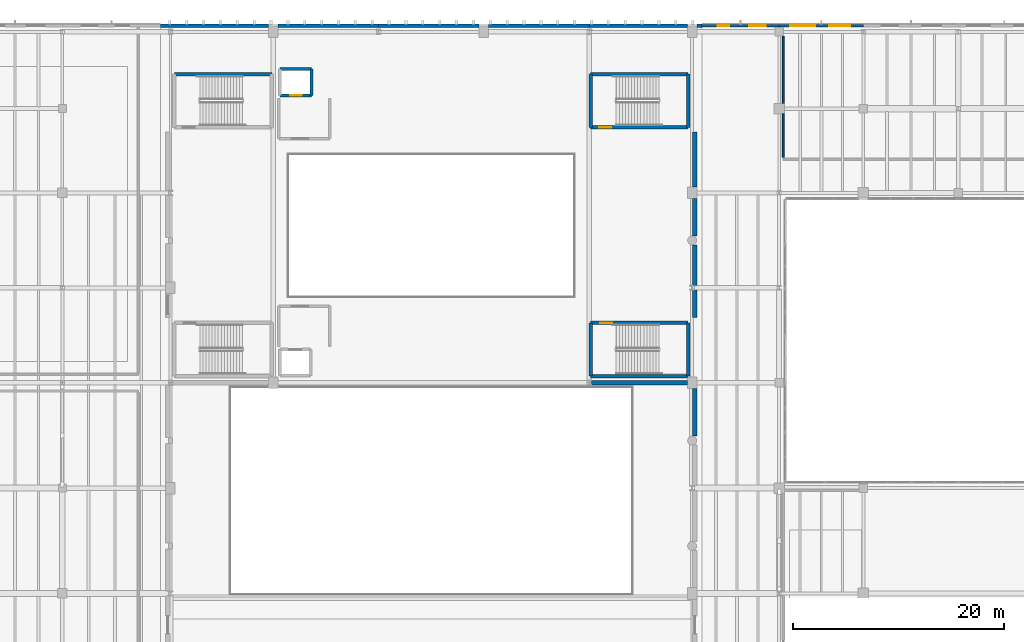
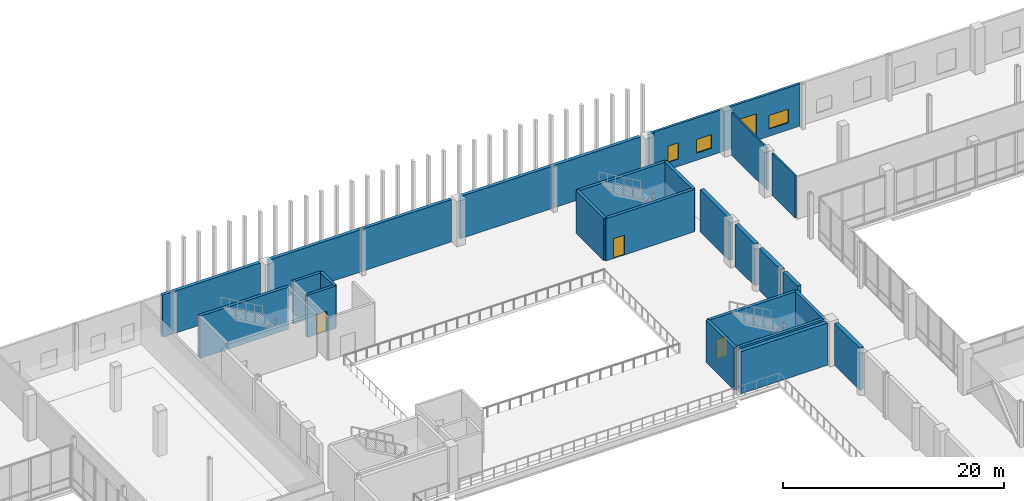
# One storey, part 63 of 81: 28 walls, 4 windows, 3 doors, 7 openings.
"""IFC4 building model written with IfcOpenShell, lengths in metres."""

from ifc_helpers import new_model, si_unit, direction, frame, frame_2d, origin, place, context, subcontext, project, spatial, rectangle, extrude, material, layer, layer_set, type_object, element, fill, save


model = new_model("IFC4")

# Units and contexts
model_context = context("Model", 3, precision=1e-05, world=origin(), true_north=direction((0.0, 1.0)))
body_context = subcontext(model_context, "Body", "Model", "MODEL_VIEW")
ifc_project = project(units=[si_unit("LENGTHUNIT", "METRE"), si_unit("AREAUNIT", "SQUARE_METRE"), si_unit("VOLUMEUNIT", "CUBIC_METRE"), si_unit("PLANEANGLEUNIT", "RADIAN"), si_unit("MASSUNIT", "GRAM", prefix="KILO")], contexts=[model_context])

# Site, building, storey
site_placement = place(None, origin())
site = spatial("IfcSite", under=ifc_project, at=site_placement, CompositionType="ELEMENT")
building_placement = place(site_placement, origin())
building = spatial("IfcBuilding", under=site, at=building_placement, Name="Trimount Lyric Opera House", CompositionType="ELEMENT")
storey_placement = place(building_placement, frame((0.0, 0.0, 5.0)))
storey = spatial("IfcBuildingStorey", under=building, at=storey_placement, Name="L01", CompositionType="ELEMENT", Elevation=5.0)

# Walls
ifc_material_1 = material(Name="Acoustic Double-Stud Gypsum Board")
ifc_layer_1 = layer(ifc_material_1, 0.1650390625)
ifc_layer_set_1 = layer_set([ifc_layer_1], Name="WL-PT165")
wall_type_1 = type_object("IfcWallType", Name="WL-PT165", PredefinedType="PARTITIONING", material=ifc_layer_set_1)
wall_1_placement = place(storey_placement, frame((122.39990234375, 116.8798828125, 0.0), z_axis=(0.0, 0.0, 1.0), x_axis=(0.0, -1.0, 0.0)))
element("IfcWall", 1, at=wall_1_placement, inside=storey, type_object=wall_type_1, Name="L01 Stage Lighting & Projection Lab W partition", PredefinedType="PARTITIONING", context=body_context, shape_type="SweptSolid", body=[
    extrude(rectangle(XDim=6.3798828125, YDim=0.1650390625, at=frame_2d((3.18994140625, 0.0))), origin(), (0.0, 0.0, 1.0), 4.679931640625),
])
wall_2_placement = place(storey_placement, frame((122.39990234375, 109.5, 0.0), z_axis=(0.0, 0.0, 1.0), x_axis=(0.0, -1.0, 0.0)))
element("IfcWall", 2, at=wall_2_placement, inside=storey, type_object=wall_type_1, Name="L01 Stage Lighting & Projection Lab W partition", PredefinedType="PARTITIONING", context=body_context, shape_type="SweptSolid", body=[
    extrude(rectangle(XDim=4.135009765625, YDim=0.1650390625, at=frame_2d((2.0673828125, 0.0))), origin(), (0.0, 0.0, 1.0), 4.679931640625),
])

# Wall, opening, door
ifc_material_2 = material(Name="Concrete C40/50", Category="concrete")
ifc_layer_2 = layer(ifc_material_2, 0.280029296875)
ifc_layer_set_2 = layer_set([ifc_layer_2], Name="WL-SH280")
wall_type_2 = type_object("IfcWallType", Name="WL-SH280", PredefinedType="SHEAR", material=ifc_layer_set_2)
wall_3_placement = place(storey_placement, frame((74.659912109375, 111.260009765625, 0.0), z_axis=(0.0, 0.0, 1.0), x_axis=(1.0, 0.0, 0.0)))
wall_3 = element("IfcWall", 3, at=wall_3_placement, inside=storey, type_object=wall_type_2, Name="Lift LF-05 L01 south shaft wall", PredefinedType="SHEAR", context=body_context, shape_type="SweptSolid", body=[
    extrude(rectangle(XDim=2.97998046875, YDim=0.280029296875, at=frame_2d((1.489990234375, 0.0))), origin(), (0.0, 0.0, 1.0), 4.675048828125),
])
opening_1_placement = place(wall_3_placement, frame((0.93994140625, 0.0, 0.0)))
opening_1 = element("IfcOpeningElement", 4, at=opening_1_placement, cuts=wall_3, Name="Opening DT-LD1", PredefinedType="OPENING", context=body_context, shape_type="SweptSolid", body=[
    extrude(rectangle(XDim=1.10009765625, YDim=2.199951171875, at=frame_2d((0.550048828125, 1.10009765625))), frame((0.0, 0.14990234375, 0.0), z_axis=(0.0, -1.0, 0.0), x_axis=(1.0, 0.0, 0.0)), (0.0, 0.0, 1.0), 0.300048828125),
])
ifc_material_3 = material(Name="Brushed Stainless Steel", Category="steel")
door_type_1 = type_object("IfcDoorType", Name="DT-LD1", OperationType="SLIDING_TO_LEFT", PredefinedType="DOOR", material=ifc_material_3)
door_1_placement = place(opening_1_placement, origin())
door_1 = element("IfcDoor", 5, at=door_1_placement, inside=storey, type_object=door_type_1, Name="D-095", OperationType="SLIDING_TO_LEFT", OverallHeight=2.199951171875, OverallWidth=1.10009765625, PredefinedType="DOOR", context=body_context, shape_type="SweptSolid", body=[
    extrude(rectangle(XDim=1.10009765625, YDim=2.199951171875, at=frame_2d((0.550048828125, 1.10009765625))), frame((0.0, 0.02490234375, 0.0), z_axis=(0.0, -1.0, 0.0), x_axis=(1.0, 0.0, 0.0)), (0.0, 0.0, 1.0), 0.050048828125),
])
fill(opening_1, door_1)

# Walls
wall_4_placement = place(storey_placement, frame((77.639892578125, 113.739990234375, 0.0), z_axis=(0.0, 0.0, 1.0), x_axis=(-1.0, 0.0, 0.0)))
element("IfcWall", 6, at=wall_4_placement, inside=storey, type_object=wall_type_2, Name="Lift LF-05 L01 north shaft wall", PredefinedType="SHEAR", context=body_context, shape_type="SweptSolid", body=[
    extrude(rectangle(XDim=2.97998046875, YDim=0.280029296875, at=frame_2d((1.489990234375, 0.0))), origin(), (0.0, 0.0, 1.0), 4.675048828125),
])
wall_5_placement = place(storey_placement, frame((77.639892578125, 111.260009765625, 0.0), z_axis=(0.0, 0.0, 1.0), x_axis=(0.0, 1.0, 0.0)))
element("IfcWall", 7, at=wall_5_placement, inside=storey, type_object=wall_type_2, Name="Lift LF-05 L01 east shaft wall", PredefinedType="SHEAR", context=body_context, shape_type="SweptSolid", body=[
    extrude(rectangle(XDim=2.47998046875, YDim=0.280029296875, at=frame_2d((1.239990234375, 0.0))), origin(), (0.0, 0.0, 1.0), 4.675048828125),
])
ifc_material_4 = material(Name="Concrete C40/50", Category="concrete")
ifc_layer_3 = layer(ifc_material_4, 0.320068359375)
ifc_layer_set_3 = layer_set([ifc_layer_3], Name="WL-SH320")
wall_type_3 = type_object("IfcWallType", Name="WL-SH320", PredefinedType="SHEAR", material=ifc_layer_set_3)
wall_6_placement = place(storey_placement, frame((73.875, 113.27490234375, 0.0), z_axis=(0.0, 0.0, 1.0), x_axis=(-1.0, 0.0, 0.0)))
element("IfcWall", 8, at=wall_6_placement, inside=storey, type_object=wall_type_3, Name="K1 L01 north shaft wall", PredefinedType="SHEAR", context=body_context, shape_type="SweptSolid", body=[
    extrude(rectangle(XDim=9.25, YDim=0.320068359375, at=frame_2d((4.625, 0.0))), origin(), (0.0, 0.0, 1.0), 4.675048828125),
])

# Wall, opening, door
wall_7_placement = place(storey_placement, frame((104.125, 108.22509765625, 0.0), z_axis=(0.0, 0.0, 1.0), x_axis=(1.0, 0.0, 0.0)))
wall_7 = element("IfcWall", 9, at=wall_7_placement, inside=storey, type_object=wall_type_3, Name="K2 L01 south shaft wall", PredefinedType="SHEAR", context=body_context, shape_type="SweptSolid", body=[
    extrude(rectangle(XDim=9.25, YDim=0.320068359375, at=frame_2d((4.625, 0.0))), origin(), (0.0, 0.0, 1.0), 4.675048828125),
])
opening_2_placement = place(wall_7_placement, frame((0.800048828125, 0.0, 0.0)))
opening_2 = element("IfcOpeningElement", 10, at=opening_2_placement, cuts=wall_7, Name="Opening DT-ST1", PredefinedType="OPENING", context=body_context, shape_type="SweptSolid", body=[
    extrude(rectangle(XDim=1.14990234375, YDim=2.199951171875, at=frame_2d((0.574951171875, 1.10009765625))), frame((0.0, 0.169921875, 0.0), z_axis=(0.0, -1.0, 0.0), x_axis=(1.0, 0.0, 0.0)), (0.0, 0.0, 1.0), 0.340087890625),
])
ifc_material_5 = material(Name="Fire-Rated Hollow Steel", Category="steel")
door_type_2 = type_object("IfcDoorType", Name="DT-ST1", OperationType="NOTDEFINED", PredefinedType="DOOR", material=ifc_material_5)
door_2_placement = place(opening_2_placement, origin())
door_2 = element("IfcDoor", 11, at=door_2_placement, inside=storey, type_object=door_type_2, Name="D-017", OperationType="SINGLE_SWING_LEFT", OverallHeight=2.199951171875, OverallWidth=1.14990234375, PredefinedType="DOOR", context=body_context, shape_type="SweptSolid", body=[
    extrude(rectangle(XDim=1.14990234375, YDim=2.199951171875, at=frame_2d((0.574951171875, 1.10009765625))), frame((0.0, 0.02490234375, 0.0), z_axis=(0.0, -1.0, 0.0), x_axis=(1.0, 0.0, 0.0)), (0.0, 0.0, 1.0), 0.050048828125),
])
fill(opening_2, door_2)

# Walls
wall_8_placement = place(storey_placement, frame((113.375, 113.27490234375, 0.0), z_axis=(0.0, 0.0, 1.0), x_axis=(-1.0, 0.0, 0.0)))
element("IfcWall", 12, at=wall_8_placement, inside=storey, type_object=wall_type_3, Name="K2 L01 north shaft wall", PredefinedType="SHEAR", context=body_context, shape_type="SweptSolid", body=[
    extrude(rectangle(XDim=9.25, YDim=0.320068359375, at=frame_2d((4.625, 0.0))), origin(), (0.0, 0.0, 1.0), 4.675048828125),
])
for number, where, z_axis, x_axis, name in (
    (13, (104.125, 113.27490234375, 0.0), (0.0, 0.0, 1.0), (0.0, -1.0, 0.0), "K2 L01 west shaft wall"),
    (14, (113.375, 108.22509765625, 0.0), (0.0, 0.0, 1.0), (0.0, 1.0, 0.0), "K2 L01 east shaft wall"),
):
    element("IfcWall", number, at=place(storey_placement, frame(where, z_axis=z_axis, x_axis=x_axis)), inside=storey, type_object=wall_type_3, Name=name, PredefinedType="SHEAR", context=body_context, shape_type="SweptSolid", body=[
        extrude(rectangle(XDim=5.0498046875, YDim=0.320068359375, at=frame_2d((2.52490234375, 0.0))), origin(), (0.0, 0.0, 1.0), 4.675048828125),
    ])
wall_9_placement = place(storey_placement, frame((104.125, 84.625, 0.0), z_axis=(0.0, 0.0, 1.0), x_axis=(1.0, 0.0, 0.0)))
element("IfcWall", 15, at=wall_9_placement, inside=storey, type_object=wall_type_3, Name="K4 L01 south shaft wall", PredefinedType="SHEAR", context=body_context, shape_type="SweptSolid", body=[
    extrude(rectangle(XDim=9.25, YDim=0.320068359375, at=frame_2d((4.625, 0.0))), origin(), (0.0, 0.0, 1.0), 4.675048828125),
])

# Wall, opening, door
wall_10_placement = place(storey_placement, frame((113.375, 89.675048828125, 0.0), z_axis=(0.0, 0.0, 1.0), x_axis=(-1.0, 0.0, 0.0)))
wall_10 = element("IfcWall", 16, at=wall_10_placement, inside=storey, type_object=wall_type_3, Name="K4 L01 north shaft wall", PredefinedType="SHEAR", context=body_context, shape_type="SweptSolid", body=[
    extrude(rectangle(XDim=9.25, YDim=0.320068359375, at=frame_2d((4.625, 0.0))), origin(), (0.0, 0.0, 1.0), 4.675048828125),
])
opening_3_placement = place(wall_10_placement, frame((7.199951171875, 0.0, 0.0)))
opening_3 = element("IfcOpeningElement", 17, at=opening_3_placement, cuts=wall_10, Name="Opening DT-ST1", PredefinedType="OPENING", context=body_context, shape_type="SweptSolid", body=[
    extrude(rectangle(XDim=1.14990234375, YDim=2.199951171875, at=frame_2d((0.574951171875, 1.10009765625))), frame((0.0, 0.169921875, 0.0), z_axis=(0.0, -1.0, 0.0), x_axis=(1.0, 0.0, 0.0)), (0.0, 0.0, 1.0), 0.340087890625),
])
door_3_placement = place(opening_3_placement, origin())
door_3 = element("IfcDoor", 18, at=door_3_placement, inside=storey, type_object=door_type_2, Name="D-033", OperationType="SINGLE_SWING_LEFT", OverallHeight=2.199951171875, OverallWidth=1.14990234375, PredefinedType="DOOR", context=body_context, shape_type="SweptSolid", body=[
    extrude(rectangle(XDim=1.14990234375, YDim=2.199951171875, at=frame_2d((0.574951171875, 1.10009765625))), frame((0.0, 0.02490234375, 0.0), z_axis=(0.0, -1.0, 0.0), x_axis=(1.0, 0.0, 0.0)), (0.0, 0.0, 1.0), 0.050048828125),
])
fill(opening_3, door_3)

# Walls
for number, where, z_axis, x_axis, name in (
    (19, (104.125, 89.675048828125, 0.0), (0.0, 0.0, 1.0), (0.0, -1.0, 0.0), "K4 L01 west shaft wall"),
    (20, (113.375, 84.625, 0.0), (0.0, 0.0, 1.0), (0.0, 1.0, 0.0), "K4 L01 east shaft wall"),
):
    element("IfcWall", number, at=place(storey_placement, frame(where, z_axis=z_axis, x_axis=x_axis)), inside=storey, type_object=wall_type_3, Name=name, PredefinedType="SHEAR", context=body_context, shape_type="SweptSolid", body=[
        extrude(rectangle(XDim=5.050048828125, YDim=0.320068359375, at=frame_2d((2.52490234375, 0.0))), origin(), (0.0, 0.0, 1.0), 4.675048828125),
    ])
ifc_material_6 = material(Name="Concrete C40/50", Category="concrete")
ifc_layer_4 = layer(ifc_material_6, 0.35009765625)
ifc_layer_set_4 = layer_set([ifc_layer_4], Name="WL-SH350")
wall_type_4 = type_object("IfcWallType", Name="WL-SH350", PredefinedType="SHEAR", material=ifc_layer_set_4)
wall_11_placement = place(storey_placement, frame((63.320068359375, 117.860107421875, 0.0), z_axis=(0.0, 0.0, 1.0), x_axis=(1.0, 0.0, 0.0)))
element("IfcWall", 21, at=wall_11_placement, inside=storey, type_object=wall_type_4, Name="L01 exterior facade wall 172", PredefinedType="SHEAR", context=body_context, shape_type="SweptSolid", body=[
    extrude(rectangle(XDim=10.22998046875, YDim=0.35009765625, at=frame_2d((5.114990234375, 0.0))), origin(), (0.0, 0.0, 1.0), 4.675048828125),
])
for number, where, z_axis, x_axis, name in (
    (22, (74.449951171875, 117.860107421875, 0.0), (0.0, 0.0, 1.0), (1.0, 0.0, 0.0), "L01 exterior facade wall 173"),
    (23, (84.0, 117.860107421875, 0.0), (0.0, 0.0, 1.0), (1.0, 0.0, 0.0), "L01 exterior facade wall 174"),
    (24, (94.449951171875, 117.860107421875, 0.0), (0.0, 0.0, 1.0), (1.0, 0.0, 0.0), "L01 exterior facade wall 175"),
):
    element("IfcWall", number, at=place(storey_placement, frame(where, z_axis=z_axis, x_axis=x_axis)), inside=storey, type_object=wall_type_4, Name=name, PredefinedType="SHEAR", context=body_context, shape_type="SweptSolid", body=[
        extrude(rectangle(XDim=9.550048828125, YDim=0.35009765625, at=frame_2d((4.77490234375, 0.0))), origin(), (0.0, 0.0, 1.0), 4.675048828125),
    ])
wall_12_placement = place(storey_placement, frame((104.0, 117.860107421875, 0.0), z_axis=(0.0, 0.0, 1.0), x_axis=(1.0, 0.0, 0.0)))
element("IfcWall", 25, at=wall_12_placement, inside=storey, type_object=wall_type_4, Name="L01 exterior facade wall 176", PredefinedType="SHEAR", context=body_context, shape_type="SweptSolid", body=[
    extrude(rectangle(XDim=9.2900390625, YDim=0.35009765625, at=frame_2d((4.64501953125, 0.0))), origin(), (0.0, 0.0, 1.0), 4.675048828125),
])
wall_13_placement = place(storey_placement, frame((114.18994140625, 117.860107421875, 0.0), z_axis=(0.0, 0.0, 1.0), x_axis=(1.0, 0.0, 0.0)))
element("IfcWall", 26, at=wall_13_placement, inside=storey, type_object=wall_type_4, Name="L01 exterior facade wall 176", PredefinedType="SHEAR", context=body_context, shape_type="SweptSolid", body=[
    extrude(rectangle(XDim=0.489990234375, YDim=0.35009765625, at=frame_2d((0.2451171875, 0.0))), origin(), (0.0, 0.0, 1.0), 4.675048828125),
])
ifc_material_7 = material(Name="Concrete C40/50", Category="concrete")
ifc_layer_5 = layer(ifc_material_7, 0.39990234375)
ifc_layer_set_5 = layer_set([ifc_layer_5], Name="WL-SH400")
wall_type_5 = type_object("IfcWallType", Name="WL-SH400", PredefinedType="SHEAR", material=ifc_layer_set_5)
wall_14_placement = place(storey_placement, frame((114.0, 78.925048828125, 0.0), z_axis=(0.0, 0.0, 1.0), x_axis=(0.0, 1.0, 0.0)))
element("IfcWall", 27, at=wall_14_placement, inside=storey, type_object=wall_type_5, Name="L01 auditorium east acoustic shear wall", PredefinedType="SHEAR", context=body_context, shape_type="SweptSolid", body=[
    extrude(rectangle(XDim=4.52490234375, YDim=0.39990234375, at=frame_2d((2.262451171875, 0.0))), origin(), (0.0, 0.0, 1.0), 4.675048828125),
])
wall_15_placement = place(storey_placement, frame((114.0, 90.199951171875, 0.0), z_axis=(0.0, 0.0, 1.0), x_axis=(0.0, 1.0, 0.0)))
element("IfcWall", 28, at=wall_15_placement, inside=storey, type_object=wall_type_5, Name="L01 fly-tower east shear wall", PredefinedType="SHEAR", context=body_context, shape_type="SweptSolid", body=[
    extrude(rectangle(XDim=2.567626953125, YDim=0.39990234375, at=frame_2d((1.28369140625, 0.0))), origin(), (0.0, 0.0, 1.0), 4.675048828125),
])
wall_16_placement = place(storey_placement, frame((114.0, 93.232421875, 0.0), z_axis=(0.0, 0.0, 1.0), x_axis=(0.0, 1.0, 0.0)))
element("IfcWall", 29, at=wall_16_placement, inside=storey, type_object=wall_type_5, Name="L01 fly-tower east shear wall", PredefinedType="SHEAR", context=body_context, shape_type="SweptSolid", body=[
    extrude(rectangle(XDim=3.842529296875, YDim=0.39990234375, at=frame_2d((1.92138671875, 0.0))), origin(), (0.0, 0.0, 1.0), 4.675048828125),
])
wall_17_placement = place(storey_placement, frame((114.0, 97.925048828125, 0.0), z_axis=(0.0, 0.0, 1.0), x_axis=(0.0, 1.0, 0.0)))
element("IfcWall", 30, at=wall_17_placement, inside=storey, type_object=wall_type_5, Name="L01 fly-tower east shear wall", PredefinedType="SHEAR", context=body_context, shape_type="SweptSolid", body=[
    extrude(rectangle(XDim=3.52490234375, YDim=0.39990234375, at=frame_2d((1.762451171875, 0.0))), origin(), (0.0, 0.0, 1.0), 4.675048828125),
])
wall_18_placement = place(storey_placement, frame((114.0, 102.550048828125, 0.0), z_axis=(0.0, 0.0, 1.0), x_axis=(0.0, 1.0, 0.0)))
element("IfcWall", 31, at=wall_18_placement, inside=storey, type_object=wall_type_5, Name="L01 fly-tower east shear wall", PredefinedType="SHEAR", context=body_context, shape_type="SweptSolid", body=[
    extrude(rectangle(XDim=5.25, YDim=0.39990234375, at=frame_2d((2.625, 0.0))), origin(), (0.0, 0.0, 1.0), 4.675048828125),
])
wall_19_placement = place(storey_placement, frame((104.2109375, 84.0, 0.0), z_axis=(0.0, 0.0, 1.0), x_axis=(1.0, 0.0, 0.0)))
element("IfcWall", 32, at=wall_19_placement, inside=storey, type_object=wall_type_5, Name="L01 proscenium east wing wall", PredefinedType="SHEAR", context=body_context, shape_type="SweptSolid", body=[
    extrude(rectangle(XDim=9.0791015625, YDim=0.39990234375, at=frame_2d((4.53955078125, 0.0))), origin(), (0.0, 0.0, 1.0), 4.675048828125),
])

# Wall, openings, windows
ifc_material_8 = material(Name="Concrete C35/45", Category="concrete")
ifc_layer_6 = layer(ifc_material_8, 0.25)
ifc_layer_set_6 = layer_set([ifc_layer_6], Name="WL-SW250")
wall_type_6 = type_object("IfcWallType", Name="WL-SW250", PredefinedType="SOLIDWALL", material=ifc_layer_set_6)
wall_20_placement = place(storey_placement, frame((114.679931640625, 117.860107421875, 0.0), z_axis=(0.0, 0.0, 1.0), x_axis=(1.0, 0.0, 0.0)))
wall_20 = element("IfcWall", 33, at=wall_20_placement, inside=storey, type_object=wall_type_6, Name="L01 exterior facade wall 177", PredefinedType="SOLIDWALL", context=body_context, shape_type="SweptSolid", body=[
    extrude(rectangle(XDim=7.320068359375, YDim=0.25, at=frame_2d((3.66015625, 0.0))), origin(), (0.0, 0.0, 1.0), 4.675048828125),
])
opening_4_placement = place(wall_20_placement, frame((1.49951171875, 0.0, 0.800048828125)))
opening_4 = element("IfcOpeningElement", 34, at=opening_4_placement, cuts=wall_20, Name="Opening WT-22", PredefinedType="OPENING", context=body_context, shape_type="SweptSolid", body=[
    extrude(rectangle(XDim=1.10009765625, YDim=1.800048828125, at=frame_2d((0.550048828125, 0.89990234375))), frame((0.0, 0.135009765625, 0.0), z_axis=(0.0, -1.0, 0.0), x_axis=(1.0, 0.0, 0.0)), (0.0, 0.0, 1.0), 0.27001953125),
])
opening_5_placement = place(wall_20_placement, frame((4.470458984375, 0.0, 0.800048828125)))
opening_5 = element("IfcOpeningElement", 35, at=opening_5_placement, cuts=wall_20, Name="Opening WT-26", PredefinedType="OPENING", context=body_context, shape_type="SweptSolid", body=[
    extrude(rectangle(XDim=1.60009765625, YDim=1.5, at=frame_2d((0.800048828125, 0.75))), frame((0.0, 0.135009765625, 0.0), z_axis=(0.0, -1.0, 0.0), x_axis=(1.0, 0.0, 0.0)), (0.0, 0.0, 1.0), 0.27001953125),
])
ifc_material_9 = material(Name="Practice Room Acoustic Window")
window_type_1 = type_object("IfcWindowType", Name="WT-22", PartitioningType="SINGLE_PANEL", PredefinedType="WINDOW", material=ifc_material_9)
window_1_placement = place(opening_4_placement, origin())
window_1 = element("IfcWindow", 36, at=window_1_placement, inside=storey, type_object=window_type_1, Name="Window WT-22-0100", OverallHeight=1.800048828125, OverallWidth=1.10009765625, PartitioningType="SINGLE_PANEL", PredefinedType="WINDOW", context=body_context, shape_type="SweptSolid", body=[
    extrude(rectangle(XDim=1.10009765625, YDim=1.800048828125, at=frame_2d((0.550048828125, 0.89990234375))), frame((0.0, 0.030029296875, 0.0), z_axis=(0.0, -1.0, 0.0), x_axis=(1.0, 0.0, 0.0)), (0.0, 0.0, 1.0), 0.06005859375),
])
fill(opening_4, window_1)
ifc_material_10 = material(Name="Clerestory Ribbon Glazing", Category="glass")
window_type_2 = type_object("IfcWindowType", Name="WT-26", PartitioningType="SINGLE_PANEL", PredefinedType="WINDOW", material=ifc_material_10)
window_2_placement = place(opening_5_placement, origin())
window_2 = element("IfcWindow", 37, at=window_2_placement, inside=storey, type_object=window_type_2, Name="Window WT-26-0101", OverallHeight=1.5, OverallWidth=1.60009765625, PartitioningType="SINGLE_PANEL", PredefinedType="WINDOW", context=body_context, shape_type="SweptSolid", body=[
    extrude(rectangle(XDim=1.60009765625, YDim=1.5, at=frame_2d((0.800048828125, 0.75))), frame((0.0, 0.030029296875, 0.0), z_axis=(0.0, -1.0, 0.0), x_axis=(1.0, 0.0, 0.0)), (0.0, 0.0, 1.0), 0.06005859375),
])
fill(opening_5, window_2)

wall_21_placement = place(storey_placement, frame((122.0, 117.860107421875, 0.0), z_axis=(0.0, 0.0, 1.0), x_axis=(1.0, 0.0, 0.0)))
wall_21 = element("IfcWall", 38, at=wall_21_placement, inside=storey, type_object=wall_type_6, Name="L01 exterior facade wall 178", PredefinedType="SOLIDWALL", context=body_context, shape_type="SweptSolid", body=[
    extrude(rectangle(XDim=8.0, YDim=0.25, at=frame_2d((4.0, 0.0))), origin(), (0.0, 0.0, 1.0), 4.679931640625),
])
opening_6_placement = place(wall_21_placement, frame((1.0400390625, 0.0, 0.64990234375)))
opening_6 = element("IfcOpeningElement", 39, at=opening_6_placement, cuts=wall_21, Name="Opening WT-01", PredefinedType="OPENING", context=body_context, shape_type="SweptSolid", body=[
    extrude(rectangle(XDim=2.39990234375, YDim=2.300048828125, at=frame_2d((1.199951171875, 1.14990234375))), frame((0.0, 0.135009765625, 0.0), z_axis=(0.0, -1.0, 0.0), x_axis=(1.0, 0.0, 0.0)), (0.0, 0.0, 1.0), 0.27001953125),
])
opening_7_placement = place(wall_21_placement, frame((4.760009765625, 0.0, 0.800048828125)))
opening_7 = element("IfcOpeningElement", 40, at=opening_7_placement, cuts=wall_21, Name="Opening WT-25", PredefinedType="OPENING", context=body_context, shape_type="SweptSolid", body=[
    extrude(rectangle(XDim=2.0, YDim=1.5, at=frame_2d((1.0, 0.75))), frame((0.0, 0.135009765625, 0.0), z_axis=(0.0, -1.0, 0.0), x_axis=(1.0, 0.0, 0.0)), (0.0, 0.0, 1.0), 0.27001953125),
])
ifc_material_11 = material(Name="Triple Acoustic Glazing in Aluminium Frame", Category="aluminium")
window_type_3 = type_object("IfcWindowType", Name="WT-01", PartitioningType="DOUBLE_PANEL_VERTICAL", PredefinedType="WINDOW", material=ifc_material_11)
window_3_placement = place(opening_6_placement, origin())
window_3 = element("IfcWindow", 41, at=window_3_placement, inside=storey, type_object=window_type_3, Name="Window WT-01-0102", OverallHeight=2.300048828125, OverallWidth=2.39990234375, PartitioningType="SINGLE_PANEL", PredefinedType="WINDOW", context=body_context, shape_type="SweptSolid", body=[
    extrude(rectangle(XDim=2.39990234375, YDim=2.300048828125, at=frame_2d((1.199951171875, 1.14990234375))), frame((0.0, 0.030029296875, 0.0), z_axis=(0.0, -1.0, 0.0), x_axis=(1.0, 0.0, 0.0)), (0.0, 0.0, 1.0), 0.06005859375),
])
fill(opening_6, window_3)
ifc_material_12 = material(Name="Clerestory Ribbon Glazing", Category="glass")
window_type_4 = type_object("IfcWindowType", Name="WT-25", PartitioningType="DOUBLE_PANEL_HORIZONTAL", PredefinedType="WINDOW", material=ifc_material_12)
window_4_placement = place(opening_7_placement, origin())
window_4 = element("IfcWindow", 42, at=window_4_placement, inside=storey, type_object=window_type_4, Name="Window WT-25-0103", OverallHeight=1.5, OverallWidth=2.0, PartitioningType="SINGLE_PANEL", PredefinedType="WINDOW", context=body_context, shape_type="SweptSolid", body=[
    extrude(rectangle(XDim=2.0, YDim=1.5, at=frame_2d((1.0, 0.75))), frame((0.0, 0.030029296875, 0.0), z_axis=(0.0, -1.0, 0.0), x_axis=(1.0, 0.0, 0.0)), (0.0, 0.0, 1.0), 0.06005859375),
])
fill(opening_7, window_4)

save(model, "model.ifc")
